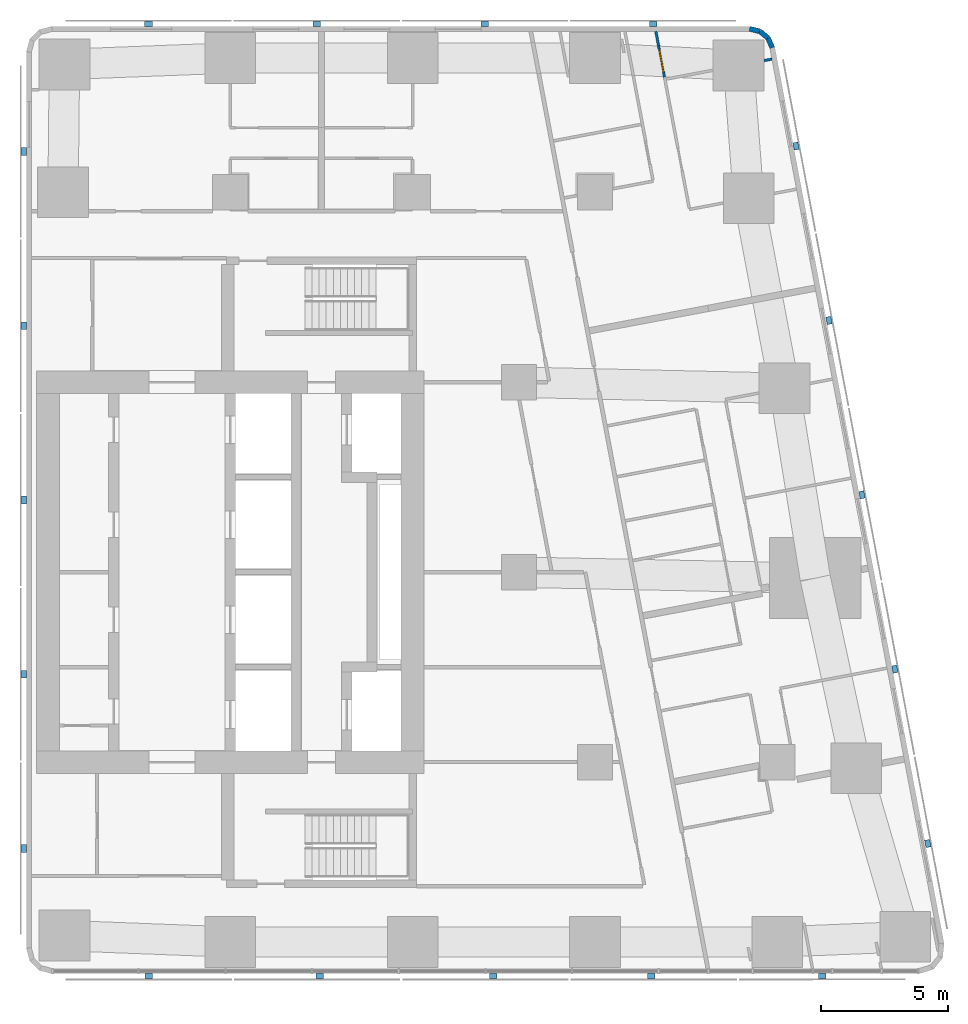
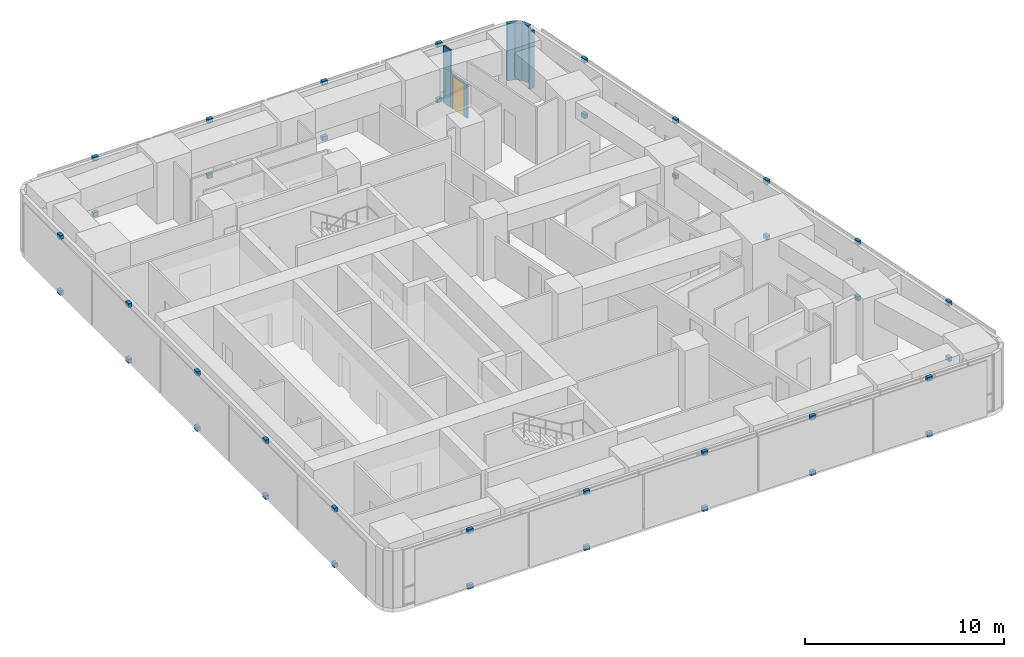
# One storey, part 9 of 11: 38 discrete accessories, 6 walls, 1 door, 1 opening.
"""IFC4 building model written with IfcOpenShell, lengths in metres."""

from ifc_helpers import new_model, si_unit, direction, frame, frame_2d, origin, origin_2d, place, context, subcontext, project, spatial, rectangle, extrude, material, layer, layer_set, type_object, element, fill, save


model = new_model("IFC4")

# Units and contexts
model_context = context("Model", 3, precision=1e-05, world=origin(), true_north=direction((0.0, 1.0)))
body_context = subcontext(model_context, "Body", "Model", "MODEL_VIEW")
ifc_project = project(units=[si_unit("LENGTHUNIT", "METRE"), si_unit("AREAUNIT", "SQUARE_METRE"), si_unit("VOLUMEUNIT", "CUBIC_METRE"), si_unit("PLANEANGLEUNIT", "RADIAN"), si_unit("MASSUNIT", "GRAM", prefix="KILO")], contexts=[model_context])

# Site, building, storey
site_placement = place(None, origin())
site = spatial("IfcSite", under=ifc_project, at=site_placement, CompositionType="ELEMENT")
building_placement = place(site_placement, origin())
building = spatial("IfcBuilding", under=site, at=building_placement, Name="Sheger Commons Tower", CompositionType="ELEMENT")
storey_placement = place(building_placement, frame((0.0, 0.0, 255.35009765625)))
storey = spatial("IfcBuildingStorey", under=building, at=storey_placement, Name="L65", CompositionType="ELEMENT", Elevation=255.35009765625)

# Walls
ifc_material_1 = material(Name="Rendered concrete block masonry, dark grey", Category="masonry")
ifc_layer_1 = layer(ifc_material_1, 0.199951171875)
ifc_layer_set_1 = layer_set([ifc_layer_1], Name="FACADE WALL 200")
wall_type_1 = type_object("IfcWallType", Name="FACADE WALL 200", PredefinedType="SOLIDWALL", material=ifc_layer_set_1)
wall_1_placement = place(storey_placement, frame((43.001953125, 43.2060546875, 0.0), z_axis=(0.0, 0.0, 1.0), x_axis=(-0.40678170573, 0.913525393124, 0.0)))
element("IfcWall", 1, at=wall_1_placement, inside=storey, type_object=wall_type_1, Name="Facade wall L65", PredefinedType="SOLIDWALL", context=body_context, shape_type="SweptSolid", body=[
    extrude(rectangle(XDim=0.422607421875, YDim=0.199951171875, at=frame_2d((0.21142578125, 0.0))), origin(), (0.0, 0.0, 1.0), 3.5),
])
wall_2_placement = place(storey_placement, frame((42.830078125, 43.592041015625, 0.0), z_axis=(0.0, 0.0, 1.0), x_axis=(-0.771190539797, 0.636604391539, 0.0)))
element("IfcWall", 2, at=wall_2_placement, inside=storey, type_object=wall_type_1, Name="Facade wall L65", PredefinedType="SOLIDWALL", context=body_context, shape_type="SweptSolid", body=[
    extrude(rectangle(XDim=0.409912109375, YDim=0.199951171875, at=frame_2d((0.205078125, 0.0))), origin(), (0.0, 0.0, 1.0), 3.5),
])
wall_3_placement = place(storey_placement, frame((42.513916015625, 43.85302734375, 0.0), z_axis=(0.0, 0.0, 1.0), x_axis=(-0.973288080424, 0.229587265555, 0.0)))
element("IfcWall", 3, at=wall_3_placement, inside=storey, type_object=wall_type_1, Name="Facade wall L65", PredefinedType="SOLIDWALL", context=body_context, shape_type="SweptSolid", body=[
    extrude(rectangle(XDim=0.422119140625, YDim=0.199951171875, at=frame_2d((0.2109375, 0.0))), origin(), (0.0, 0.0, 1.0), 3.5),
])
ifc_material_2 = material(Name="Gypsum board on steel studs", Category="steel")
ifc_layer_2 = layer(ifc_material_2, 0.10009765625)
ifc_layer_set_2 = layer_set([ifc_layer_2], Name="PARTITION 100")
wall_type_2 = type_object("IfcWallType", Name="PARTITION 100", PredefinedType="PARTITIONING", material=ifc_layer_set_2)
wall_4_placement = place(storey_placement, frame((38.403076171875, 43.85009765625, 0.0), z_axis=(0.0, 0.0, 1.0), x_axis=(0.184976954078, -0.982742858768, 0.0)))
element("IfcWall", 4, at=wall_4_placement, inside=storey, type_object=wall_type_2, Name="Partition L65", PredefinedType="PARTITIONING", context=body_context, shape_type="SweptSolid", body=[
    extrude(rectangle(XDim=0.578125, YDim=0.10009765625, at=frame_2d((0.2890625, 0.0))), origin(), (0.0, 0.0, 1.0), 3.5),
])

# Wall, opening, door
wall_5_placement = place(storey_placement, frame((38.510009765625, 43.281982421875, 0.0), z_axis=(0.0, 0.0, 1.0), x_axis=(0.185775287495, -0.982592256511, 0.0)))
wall_5 = element("IfcWall", 5, at=wall_5_placement, inside=storey, type_object=wall_type_2, Name="Partition L65", PredefinedType="PARTITIONING", context=body_context, shape_type="SweptSolid", body=[
    extrude(rectangle(XDim=1.259033203125, YDim=0.10009765625, at=frame_2d((0.62939453125, 0.0))), origin(), (0.0, 0.0, 1.0), 2.0498046875),
])
opening_placement = place(wall_5_placement, frame((0.14990234375, 0.0, 0.0)))
opening = element("IfcOpeningElement", 6, at=opening_placement, cuts=wall_5, Name="Opening D11", PredefinedType="OPENING", context=body_context, shape_type="SweptSolid", body=[
    extrude(rectangle(XDim=0.89990234375, YDim=2.0, at=frame_2d((0.449951171875, 1.0))), frame((0.0, 0.06005859375, 0.0), z_axis=(0.0, -1.0, 0.0), x_axis=(1.0, 0.0, 0.0)), (0.0, 0.0, 1.0), 0.1201171875),
])
ifc_material_3 = material(Name="Timber door set", Category="wood")
door_type = type_object("IfcDoorType", Name="INTERNAL DOOR 900x2000", OperationType="NOTDEFINED", PredefinedType="DOOR", material=ifc_material_3)
door_placement = place(opening_placement, origin())
door = element("IfcDoor", 7, at=door_placement, inside=storey, type_object=door_type, Name="Dressing room door", OperationType="SINGLE_SWING_LEFT", OverallHeight=2.0, OverallWidth=0.89990234375, PredefinedType="DOOR", context=body_context, shape_type="SweptSolid", body=[
    extrude(rectangle(XDim=0.89990234375, YDim=2.0, at=frame_2d((0.449951171875, 1.0))), frame((0.0, 0.02490234375, 0.0), z_axis=(0.0, -1.0, 0.0), x_axis=(1.0, 0.0, 0.0)), (0.0, 0.0, 1.0), 0.050048828125),
])
fill(opening, door)

# Wall
wall_6_placement = place(storey_placement, frame((42.985107421875, 42.7548828125, 0.0), z_axis=(0.0, 0.0, 1.0), x_axis=(-0.98281924824, -0.184570651215, 0.0)))
element("IfcWall", 8, at=wall_6_placement, inside=storey, type_object=wall_type_2, Name="Partition L65", PredefinedType="PARTITIONING", context=body_context, shape_type="SweptSolid", body=[
    extrude(rectangle(XDim=0.3134765625, YDim=0.10009765625, at=frame_2d((0.15673828125, 0.0))), origin(), (0.0, 0.0, 1.0), 3.5),
])

# Discrete accessories
ifc_material_4 = material(Name="Black painted steel bracket", Category="steel")
discrete_accessory_type = type_object("IfcDiscreteAccessoryType", Name="SCREEN BRACKET 300x200x250", PredefinedType="BRACKET", material=ifc_material_4)
for number, where, z_axis, x_axis, name in (
    (9, (18.375, 6.550048828125, -0.10009765625), (0.0, 0.0, 1.0), (1.0, 0.0, 0.0), "Solar screen foot bracket"),
    (10, (18.375, 6.550048828125, 3.2998046875), (0.0, 0.0, 1.0), (1.0, 0.0, 0.0), "Solar screen head bracket"),
    (11, (25.1259765625, 6.550048828125, -0.10009765625), (0.0, 0.0, 1.0), (1.0, 0.0, 0.0), "Solar screen foot bracket"),
    (12, (25.1259765625, 6.550048828125, 3.2998046875), (0.0, 0.0, 1.0), (1.0, 0.0, 0.0), "Solar screen head bracket"),
    (13, (31.97607421875, 6.550048828125, -0.10009765625), (0.0, 0.0, 1.0), (1.0, 0.0, 0.0), "Solar screen foot bracket"),
    (14, (31.97607421875, 6.550048828125, 3.2998046875), (0.0, 0.0, 1.0), (1.0, 0.0, 0.0), "Solar screen head bracket"),
    (15, (38.22607421875, 6.550048828125, -0.10009765625), (0.0, 0.0, 1.0), (1.0, 0.0, 0.0), "Solar screen foot bracket"),
    (16, (38.22607421875, 6.550048828125, 3.2998046875), (0.0, 0.0, 1.0), (1.0, 0.0, 0.0), "Solar screen head bracket"),
    (17, (44.97705078125, 6.550048828125, -0.10009765625), (0.0, 0.0, 1.0), (1.0, 0.0, 0.0), "Solar screen foot bracket"),
    (18, (44.97705078125, 6.550048828125, 3.2998046875), (0.0, 0.0, 1.0), (1.0, 0.0, 0.0), "Solar screen head bracket"),
    (19, (49.139892578125, 11.7880859375, -0.10009765625), (0.0, 0.0, 1.0), (-0.185615165645, 0.982622516678, 0.0), "Solar screen foot bracket"),
    (20, (49.139892578125, 11.7880859375, 3.2998046875), (0.0, 0.0, 1.0), (-0.185615165645, 0.982622516678, 0.0), "Solar screen head bracket"),
    (21, (47.840087890625, 18.6708984375, -0.10009765625), (0.0, 0.0, 1.0), (-0.185615165645, 0.982622516678, 0.0), "Solar screen foot bracket"),
    (22, (47.840087890625, 18.6708984375, 3.2998046875), (0.0, 0.0, 1.0), (-0.185615165645, 0.982622516678, 0.0), "Solar screen head bracket"),
    (23, (46.5400390625, 25.554931640625, -0.10009765625), (0.0, 0.0, 1.0), (-0.185615165645, 0.982622516678, 0.0), "Solar screen foot bracket"),
    (24, (46.5400390625, 25.554931640625, 3.2998046875), (0.0, 0.0, 1.0), (-0.185615165645, 0.982622516678, 0.0), "Solar screen head bracket"),
    (25, (45.239013671875, 32.43798828125, -0.10009765625), (0.0, 0.0, 1.0), (-0.185615165645, 0.982622516678, 0.0), "Solar screen foot bracket"),
    (26, (45.239013671875, 32.43798828125, 3.2998046875), (0.0, 0.0, 1.0), (-0.185615165645, 0.982622516678, 0.0), "Solar screen head bracket"),
    (27, (43.93896484375, 39.322021484375, -0.10009765625), (0.0, 0.0, 1.0), (-0.185615165645, 0.982622516678, 0.0), "Solar screen foot bracket"),
    (28, (43.93896484375, 39.322021484375, 3.2998046875), (0.0, 0.0, 1.0), (-0.185615165645, 0.982622516678, 0.0), "Solar screen head bracket"),
    (29, (38.2939453125, 44.14990234375, -0.10009765625), (0.0, 0.0, 1.0), (-1.0, 0.0, 0.0), "Solar screen foot bracket"),
    (30, (38.2939453125, 44.14990234375, 3.2998046875), (0.0, 0.0, 1.0), (-1.0, 0.0, 0.0), "Solar screen head bracket"),
    (31, (31.653076171875, 44.14990234375, -0.10009765625), (0.0, 0.0, 1.0), (-1.0, 0.0, 0.0), "Solar screen foot bracket"),
    (32, (31.653076171875, 44.14990234375, 3.2998046875), (0.0, 0.0, 1.0), (-1.0, 0.0, 0.0), "Solar screen head bracket"),
    (33, (25.011962890625, 44.14990234375, -0.10009765625), (0.0, 0.0, 1.0), (-1.0, 0.0, 0.0), "Solar screen foot bracket"),
    (34, (25.011962890625, 44.14990234375, 3.2998046875), (0.0, 0.0, 1.0), (-1.0, 0.0, 0.0), "Solar screen head bracket"),
    (35, (18.37109375, 44.14990234375, -0.10009765625), (0.0, 0.0, 1.0), (-1.0, 0.0, 0.0), "Solar screen foot bracket"),
    (36, (18.37109375, 44.14990234375, 3.2998046875), (0.0, 0.0, 1.0), (-1.0, 0.0, 0.0), "Solar screen head bracket"),
    (37, (13.449951171875, 39.110107421875, -0.10009765625), (0.0, 0.0, 1.0), (0.0, -1.0, 0.0), "Solar screen foot bracket"),
    (38, (13.449951171875, 39.110107421875, 3.2998046875), (0.0, 0.0, 1.0), (0.0, -1.0, 0.0), "Solar screen head bracket"),
    (39, (13.449951171875, 32.22998046875, -0.10009765625), (0.0, 0.0, 1.0), (0.0, -1.0, 0.0), "Solar screen foot bracket"),
    (40, (13.449951171875, 32.22998046875, 3.2998046875), (0.0, 0.0, 1.0), (0.0, -1.0, 0.0), "Solar screen head bracket"),
    (41, (13.449951171875, 25.35009765625, -0.10009765625), (0.0, 0.0, 1.0), (0.0, -1.0, 0.0), "Solar screen foot bracket"),
    (42, (13.449951171875, 25.35009765625, 3.2998046875), (0.0, 0.0, 1.0), (0.0, -1.0, 0.0), "Solar screen head bracket"),
    (43, (13.449951171875, 18.469970703125, -0.10009765625), (0.0, 0.0, 1.0), (0.0, -1.0, 0.0), "Solar screen foot bracket"),
    (44, (13.449951171875, 18.469970703125, 3.2998046875), (0.0, 0.0, 1.0), (0.0, -1.0, 0.0), "Solar screen head bracket"),
    (45, (13.449951171875, 11.590087890625, -0.10009765625), (0.0, 0.0, 1.0), (0.0, -1.0, 0.0), "Solar screen foot bracket"),
    (46, (13.449951171875, 11.590087890625, 3.2998046875), (0.0, 0.0, 1.0), (0.0, -1.0, 0.0), "Solar screen head bracket"),
):
    element("IfcDiscreteAccessory", number, at=place(storey_placement, frame(where, z_axis=z_axis, x_axis=x_axis)), inside=storey, type_object=discrete_accessory_type, Name=name, PredefinedType="BRACKET", context=body_context, shape_type="SweptSolid", body=[
        extrude(rectangle(XDim=0.300048828125, YDim=0.199951171875, at=origin_2d()), origin(), (0.0, 0.0, 1.0), 0.25),
    ])

save(model, "model.ifc")
